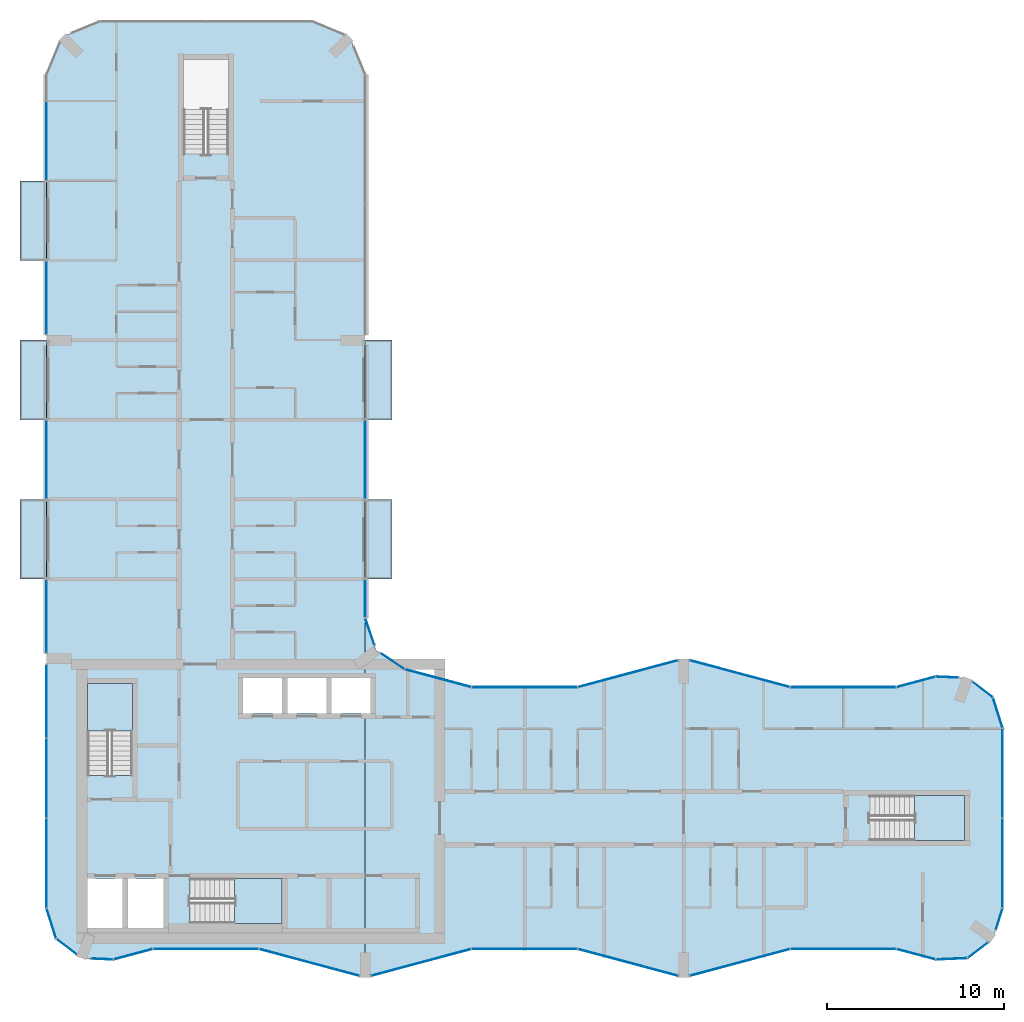
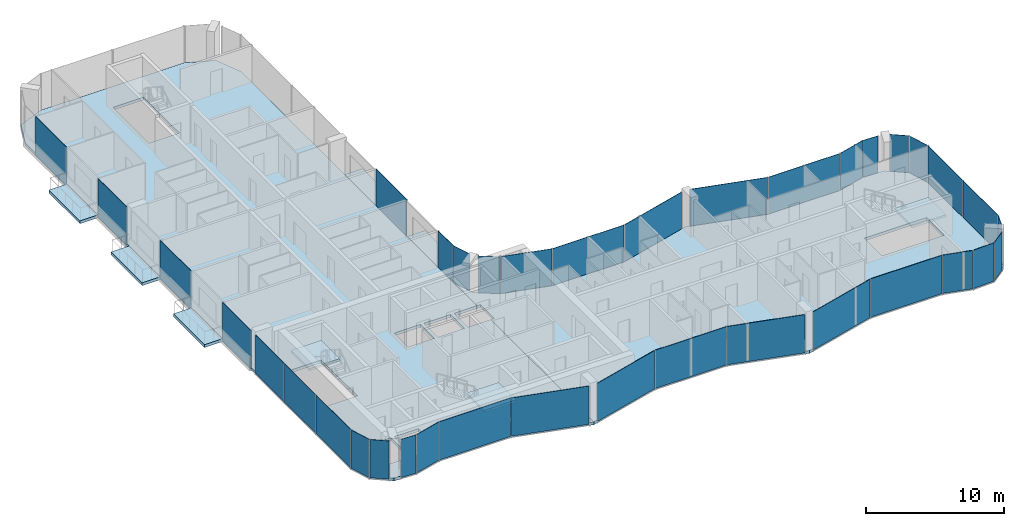
# One storey, part 8 of 16: 37 plates, 10 slabs, 37 elements without a shape of their own.
"""IFC4 building model written with IfcOpenShell, lengths in metres."""

from ifc_helpers import new_model, si_unit, direction, frame, origin, origin_2d, place, context, subcontext, project, spatial, polyline, rectangle, outline, extrude, material, layer, layer_set, type_object, element, aggregate, save


model = new_model("IFC4")

# Units and contexts
model_context = context("Model", 3, precision=1e-05, world=origin(), true_north=direction((0.0, 1.0)))
body_context = subcontext(model_context, "Body", "Model", "MODEL_VIEW")
ifc_project = project(units=[si_unit("LENGTHUNIT", "METRE"), si_unit("AREAUNIT", "SQUARE_METRE"), si_unit("VOLUMEUNIT", "CUBIC_METRE"), si_unit("PLANEANGLEUNIT", "RADIAN"), si_unit("MASSUNIT", "GRAM", prefix="KILO")], contexts=[model_context])

# Site, building, storey
site_placement = place(None, origin())
site = spatial("IfcSite", under=ifc_project, at=site_placement, CompositionType="ELEMENT")
building_placement = place(site_placement, origin())
building = spatial("IfcBuilding", under=site, at=building_placement, Name="Plateau Cross Towers", CompositionType="ELEMENT")
storey_placement = place(building_placement, frame((0.0, 0.0, 167.39990234375)))
storey = spatial("IfcBuildingStorey", under=building, at=storey_placement, Name="L43", CompositionType="ELEMENT", Elevation=167.39990234375)

# Slabs
ifc_material_1 = material(Name="Concrete C40/50", Category="concrete")
ifc_layer_1 = layer(ifc_material_1, 0.25)
ifc_layer_set_1 = layer_set([ifc_layer_1], Name="Concrete C40/50")
slab_type_1 = type_object("IfcSlabType", Name="Balcony slab 250", PredefinedType="FLOOR", material=ifc_layer_set_1)
slab_1_placement = place(storey_placement, frame((0.0, 0.0, -0.25)))
element("IfcSlab", 1, at=slab_1_placement, inside=storey, type_object=slab_type_1, Name="Balcony slab A-BAL-L43-01", PredefinedType="FLOOR", context=body_context, shape_type="SweptSolid", body=[
    extrude(outline(polyline([(0.0, 22.5), (0.0, 27.0), (-1.5, 27.0), (-1.5, 22.5), (0.0, 22.5)])), origin(), (0.0, 0.0, 1.0), 0.25),
])
slab_2_placement = place(storey_placement, frame((0.0, 0.0, -0.25)))
element("IfcSlab", 2, at=slab_2_placement, inside=storey, type_object=slab_type_1, Name="Balcony slab A-BAL-L43-02", PredefinedType="FLOOR", context=body_context, shape_type="SweptSolid", body=[
    extrude(outline(polyline([(0.0, 31.5), (0.0, 36.0), (-1.5, 36.0), (-1.5, 31.5), (0.0, 31.5)])), origin(), (0.0, 0.0, 1.0), 0.25),
])
slab_3_placement = place(storey_placement, frame((0.0, 0.0, -0.25)))
element("IfcSlab", 3, at=slab_3_placement, inside=storey, type_object=slab_type_1, Name="Balcony slab A-BAL-L43-03", PredefinedType="FLOOR", context=body_context, shape_type="SweptSolid", body=[
    extrude(outline(polyline([(0.0, 40.5), (0.0, 45.0), (-1.5, 45.0), (-1.5, 40.5), (0.0, 40.5)])), origin(), (0.0, 0.0, 1.0), 0.25),
])
slab_4_placement = place(storey_placement, frame((0.0, 0.0, -0.25)))
element("IfcSlab", 4, at=slab_4_placement, inside=storey, type_object=slab_type_1, Name="Balcony slab A-BAL-L43-04", PredefinedType="FLOOR", context=body_context, shape_type="SweptSolid", body=[
    extrude(outline(polyline([(19.5, 22.5), (19.5, 27.0), (18.0, 27.0), (18.0, 22.5), (19.5, 22.5)])), origin(), (0.0, 0.0, 1.0), 0.25),
])
slab_5_placement = place(storey_placement, frame((0.0, 0.0, -0.25)))
element("IfcSlab", 5, at=slab_5_placement, inside=storey, type_object=slab_type_1, Name="Balcony slab A-BAL-L43-05", PredefinedType="FLOOR", context=body_context, shape_type="SweptSolid", body=[
    extrude(outline(polyline([(19.5, 31.5), (19.5, 36.0), (18.0, 36.0), (18.0, 31.5), (19.5, 31.5)])), origin(), (0.0, 0.0, 1.0), 0.25),
])

# Curtain wall, plate
ifc_material_2 = material(Name="Dark low-iron glass", Category="glass")
ifc_layer_2 = layer(ifc_material_2, 0.239990234375)
ifc_layer_set_2 = layer_set([ifc_layer_2], Name="Dark low-iron glass")
curtain_wall_type_1 = type_object("IfcCurtainWallType", Name="Curtain wall flush unitised CW-B", PredefinedType="NOTDEFINED", material=ifc_layer_set_2)
curtain_wall_1_placement = place(storey_placement, origin())
curtain_wall_1 = element("IfcCurtainWall", 6, at=curtain_wall_1_placement, inside=storey, type_object=curtain_wall_type_1, Name="ENV/A/L43/A502_10", PredefinedType="NOTDEFINED")
ifc_layer_3 = layer(ifc_material_2, 0.031982421875)
ifc_layer_set_3 = layer_set([ifc_layer_3], Name="Dark low-iron glass")
plate_type_1 = type_object("IfcPlateType", Name="Glass panel 32 flush unitised", PredefinedType="CURTAIN_PANEL", material=ifc_layer_set_3)
plate_1_placement = place(storey_placement, frame((51.125, 1.05078125, -0.1298828125), z_axis=(0.0, 0.0, 1.0), x_axis=(0.999043701491, 0.043722791671, 0.0)))
plate_1 = element("IfcPlate", 7, at=plate_1_placement, type_object=plate_type_1, Name="CW-B panel 1", PredefinedType="CURTAIN_PANEL", context=body_context, shape_type="SweptSolid", body=[
    extrude(rectangle(XDim=1.744140625, YDim=0.031982421875, at=origin_2d()), origin(), (0.0, 0.0, 1.0), 3.3798828125),
])
aggregate(curtain_wall_1, [plate_1])

curtain_wall_2_placement = place(storey_placement, origin())
curtain_wall_2 = element("IfcCurtainWall", 8, at=curtain_wall_2_placement, inside=storey, type_object=curtain_wall_type_1, Name="ENV/A/L43/A520_11", PredefinedType="NOTDEFINED")
plate_2_placement = place(storey_placement, frame((52.60986328125, 1.5380859375, -0.1298828125), z_axis=(0.0, 0.0, 1.0), x_axis=(0.793315514529, 0.608810721331, 0.0)))
plate_2 = element("IfcPlate", 9, at=plate_2_placement, type_object=plate_type_1, Name="CW-B panel 1", PredefinedType="CURTAIN_PANEL", context=body_context, shape_type="SweptSolid", body=[
    extrude(rectangle(XDim=1.41162109375, YDim=0.031982421875, at=origin_2d()), origin(), (0.0, 0.0, 1.0), 3.3798828125),
])
aggregate(curtain_wall_2, [plate_2])

curtain_wall_3_placement = place(storey_placement, origin())
curtain_wall_3 = element("IfcCurtainWall", 10, at=curtain_wall_3_placement, inside=storey, type_object=curtain_wall_type_1, Name="ENV/A/L43/A536_27", PredefinedType="NOTDEFINED")
plate_3_placement = place(storey_placement, frame((53.805419921875, 3.292236328125, -0.1298828125), z_axis=(0.0, 0.0, 1.0), x_axis=(0.300686174994, 0.95372313811, 0.0)))
plate_3 = element("IfcPlate", 11, at=plate_3_placement, type_object=plate_type_1, Name="CW-B panel 1", PredefinedType="CURTAIN_PANEL", context=body_context, shape_type="SweptSolid", body=[
    extrude(rectangle(XDim=1.233642578125, YDim=0.031982421875, at=origin_2d()), origin(), (0.0, 0.0, 1.0), 3.3798828125),
])
aggregate(curtain_wall_3, [plate_3])

# Curtain wall, plates
curtain_wall_4_placement = place(storey_placement, origin())
curtain_wall_4 = element("IfcCurtainWall", 12, at=curtain_wall_4_placement, inside=storey, type_object=curtain_wall_type_1, Name="ENV/A/L43/A540_39", PredefinedType="NOTDEFINED")
plate_4_placement = place(storey_placement, frame((54.0, 6.45458984375, -0.1298828125), z_axis=(0.0, 0.0, 1.0), x_axis=(0.0, 1.0, 0.0)))
plate_4 = element("IfcPlate", 13, at=plate_4_placement, type_object=plate_type_1, Name="CW-B panel 1", PredefinedType="CURTAIN_PANEL", context=body_context, shape_type="SweptSolid", body=[
    extrude(rectangle(XDim=5.03076171875, YDim=0.031982421875, at=origin_2d()), origin(), (0.0, 0.0, 1.0), 3.3798828125),
])
plate_5_placement = place(storey_placement, frame((54.0, 11.54541015625, -0.1298828125), z_axis=(0.0, 0.0, 1.0), x_axis=(0.0, 1.0, 0.0)))
plate_5 = element("IfcPlate", 14, at=plate_5_placement, type_object=plate_type_1, Name="CW-B panel 2", PredefinedType="CURTAIN_PANEL", context=body_context, shape_type="SweptSolid", body=[
    extrude(rectangle(XDim=5.03076171875, YDim=0.031982421875, at=origin_2d()), origin(), (0.0, 0.0, 1.0), 3.3798828125),
])
aggregate(curtain_wall_4, [plate_4, plate_5])

# Curtain wall, plate
curtain_wall_5_placement = place(storey_placement, origin())
curtain_wall_5 = element("IfcCurtainWall", 15, at=curtain_wall_5_placement, inside=storey, type_object=curtain_wall_type_1, Name="ENV/A/L43/A540_141", PredefinedType="NOTDEFINED")
plate_6_placement = place(storey_placement, frame((53.728759765625, 14.951171875, -0.1298828125), z_axis=(0.0, 0.0, 1.0), x_axis=(-0.300686174994, 0.95372313811, 0.0)))
plate_6 = element("IfcPlate", 16, at=plate_6_placement, type_object=plate_type_1, Name="CW-B panel 1", PredefinedType="CURTAIN_PANEL", context=body_context, shape_type="SweptSolid", body=[
    extrude(rectangle(XDim=1.744140625, YDim=0.031982421875, at=origin_2d()), origin(), (0.0, 0.0, 1.0), 3.3798828125),
])
aggregate(curtain_wall_5, [plate_6])

curtain_wall_6_placement = place(storey_placement, origin())
curtain_wall_6 = element("IfcCurtainWall", 17, at=curtain_wall_6_placement, inside=storey, type_object=curtain_wall_type_1, Name="ENV/A/L43/A535_158", PredefinedType="NOTDEFINED")
plate_7_placement = place(storey_placement, frame((52.873779296875, 16.25927734375, -0.1298828125), z_axis=(0.0, 0.0, 1.0), x_axis=(-0.793315514529, 0.608810721331, 0.0)))
plate_7 = element("IfcPlate", 18, at=plate_7_placement, type_object=plate_type_1, Name="CW-B panel 1", PredefinedType="CURTAIN_PANEL", context=body_context, shape_type="SweptSolid", body=[
    extrude(rectangle(XDim=1.41162109375, YDim=0.031982421875, at=origin_2d()), origin(), (0.0, 0.0, 1.0), 3.3798828125),
])
aggregate(curtain_wall_6, [plate_7])

curtain_wall_7_placement = place(storey_placement, origin())
curtain_wall_7 = element("IfcCurtainWall", 19, at=curtain_wall_7_placement, inside=storey, type_object=curtain_wall_type_1, Name="ENV/A/L43/A515_169", PredefinedType="NOTDEFINED")
plate_8_placement = place(storey_placement, frame((50.8701171875, 16.96044921875, -0.1298828125), z_axis=(0.0, 0.0, 1.0), x_axis=(-0.999043701491, 0.043722791671, 0.0)))
plate_8 = element("IfcPlate", 20, at=plate_8_placement, type_object=plate_type_1, Name="CW-B panel 1", PredefinedType="CURTAIN_PANEL", context=body_context, shape_type="SweptSolid", body=[
    extrude(rectangle(XDim=1.233642578125, YDim=0.031982421875, at=origin_2d()), origin(), (0.0, 0.0, 1.0), 3.3798828125),
])
aggregate(curtain_wall_7, [plate_8])

curtain_wall_8_placement = place(storey_placement, origin())
curtain_wall_8 = element("IfcCurtainWall", 21, at=curtain_wall_8_placement, inside=storey, type_object=curtain_wall_type_1, Name="ENV/A/L43/A202_174", PredefinedType="NOTDEFINED")
plate_9_placement = place(storey_placement, frame((19.546630859375, 17.856689453125, -0.1298828125), z_axis=(0.0, 0.0, 1.0), x_axis=(-0.831521253329, 0.555492938984, 0.0)))
plate_9 = element("IfcPlate", 22, at=plate_9_placement, type_object=plate_type_1, Name="CW-B panel 1", PredefinedType="CURTAIN_PANEL", context=body_context, shape_type="SweptSolid", body=[
    extrude(rectangle(XDim=1.56884765625, YDim=0.031982421875, at=origin_2d()), origin(), (0.0, 0.0, 1.0), 3.3798828125),
])
aggregate(curtain_wall_8, [plate_9])

curtain_wall_9_placement = place(storey_placement, origin())
curtain_wall_9 = element("IfcCurtainWall", 23, at=curtain_wall_9_placement, inside=storey, type_object=curtain_wall_type_1, Name="ENV/A/L43/A185_188", PredefinedType="NOTDEFINED")
plate_10_placement = place(storey_placement, frame((18.26171875, 19.531005859375, -0.1298828125), z_axis=(0.0, 0.0, 1.0), x_axis=(-0.321469161574, 0.94692004845, 0.0)))
plate_10 = element("IfcPlate", 24, at=plate_10_placement, type_object=plate_type_1, Name="CW-B panel 1", PredefinedType="CURTAIN_PANEL", context=body_context, shape_type="SweptSolid", body=[
    extrude(rectangle(XDim=1.56884765625, YDim=0.031982421875, at=origin_2d()), origin(), (0.0, 0.0, 1.0), 3.3798828125),
])
aggregate(curtain_wall_9, [plate_10])

curtain_wall_10_placement = place(storey_placement, origin())
curtain_wall_10 = element("IfcCurtainWall", 25, at=curtain_wall_10_placement, inside=storey, type_object=curtain_wall_type_1, Name="ENV/A/L43/A180_203", PredefinedType="NOTDEFINED")
plate_11_placement = place(storey_placement, frame((18.0, 21.396240234375, -0.1298828125), z_axis=(0.0, 0.0, 1.0), x_axis=(0.0, 1.0, 0.0)))
plate_11 = element("IfcPlate", 26, at=plate_11_placement, type_object=plate_type_1, Name="CW-B panel 1", PredefinedType="CURTAIN_PANEL", context=body_context, shape_type="SweptSolid", body=[
    extrude(rectangle(XDim=2.127685546875, YDim=0.031982421875, at=origin_2d()), origin(), (0.0, 0.0, 1.0), 3.3798828125),
])
aggregate(curtain_wall_10, [plate_11])

curtain_wall_11_placement = place(storey_placement, origin())
curtain_wall_11 = element("IfcCurtainWall", 27, at=curtain_wall_11_placement, inside=storey, type_object=curtain_wall_type_1, Name="ENV/A/L43/A180_270", PredefinedType="NOTDEFINED")
plate_12_placement = place(storey_placement, frame((18.0, 29.25, -0.1298828125), z_axis=(0.0, 0.0, 1.0), x_axis=(0.0, 1.0, 0.0)))
plate_12 = element("IfcPlate", 28, at=plate_12_placement, type_object=plate_type_1, Name="CW-B panel 1", PredefinedType="CURTAIN_PANEL", context=body_context, shape_type="SweptSolid", body=[
    extrude(rectangle(XDim=4.419921875, YDim=0.031982421875, at=origin_2d()), origin(), (0.0, 0.0, 1.0), 3.3798828125),
])
aggregate(curtain_wall_11, [plate_12])

curtain_wall_12_placement = place(storey_placement, origin())
curtain_wall_12 = element("IfcCurtainWall", 29, at=curtain_wall_12_placement, inside=storey, type_object=curtain_wall_type_1, Name="ENV/A/L43/A0_510", PredefinedType="NOTDEFINED")
plate_13_placement = place(storey_placement, frame((0.0, 47.2548828125, -0.1298828125), z_axis=(0.0, 0.0, 1.0), x_axis=(0.0, -1.0, 0.0)))
plate_13 = element("IfcPlate", 30, at=plate_13_placement, type_object=plate_type_1, Name="CW-B panel 2", PredefinedType="CURTAIN_PANEL", context=body_context, shape_type="SweptSolid", body=[
    extrude(rectangle(XDim=4.429931640625, YDim=0.031982421875, at=origin_2d()), origin(), (0.0, 0.0, 1.0), 3.3798828125),
])
aggregate(curtain_wall_12, [plate_13])

curtain_wall_13_placement = place(storey_placement, origin())
curtain_wall_13 = element("IfcCurtainWall", 31, at=curtain_wall_13_placement, inside=storey, type_object=curtain_wall_type_1, Name="ENV/A/L43/A0_405", PredefinedType="NOTDEFINED")
plate_14_placement = place(storey_placement, frame((0.0, 38.39501953125, -0.1298828125), z_axis=(0.0, 0.0, 1.0), x_axis=(0.0, -1.0, 0.0)))
plate_14 = element("IfcPlate", 32, at=plate_14_placement, type_object=plate_type_1, Name="CW-B panel 1", PredefinedType="CURTAIN_PANEL", context=body_context, shape_type="SweptSolid", body=[
    extrude(rectangle(XDim=4.1298828125, YDim=0.031982421875, at=origin_2d()), origin(), (0.0, 0.0, 1.0), 3.3798828125),
])
aggregate(curtain_wall_13, [plate_14])

curtain_wall_14_placement = place(storey_placement, origin())
curtain_wall_14 = element("IfcCurtainWall", 33, at=curtain_wall_14_placement, inside=storey, type_object=curtain_wall_type_1, Name="ENV/A/L43/A0_315", PredefinedType="NOTDEFINED")
plate_15_placement = place(storey_placement, frame((0.0, 29.25, -0.1298828125), z_axis=(0.0, 0.0, 1.0), x_axis=(0.0, -1.0, 0.0)))
plate_15 = element("IfcPlate", 34, at=plate_15_placement, type_object=plate_type_1, Name="CW-B panel 1", PredefinedType="CURTAIN_PANEL", context=body_context, shape_type="SweptSolid", body=[
    extrude(rectangle(XDim=4.419921875, YDim=0.031982421875, at=origin_2d()), origin(), (0.0, 0.0, 1.0), 3.3798828125),
])
aggregate(curtain_wall_14, [plate_15])

curtain_wall_15_placement = place(storey_placement, origin())
curtain_wall_15 = element("IfcCurtainWall", 35, at=curtain_wall_15_placement, inside=storey, type_object=curtain_wall_type_1, Name="ENV/A/L43/A0_225", PredefinedType="NOTDEFINED")
plate_16_placement = place(storey_placement, frame((0.0, 20.39501953125, -0.1298828125), z_axis=(0.0, 0.0, 1.0), x_axis=(0.0, -1.0, 0.0)))
plate_16 = element("IfcPlate", 36, at=plate_16_placement, type_object=plate_type_1, Name="CW-B panel 1", PredefinedType="CURTAIN_PANEL", context=body_context, shape_type="SweptSolid", body=[
    extrude(rectangle(XDim=4.1298828125, YDim=0.031982421875, at=origin_2d()), origin(), (0.0, 0.0, 1.0), 3.3798828125),
])
aggregate(curtain_wall_15, [plate_16])

# Curtain wall, plates
curtain_wall_16_placement = place(storey_placement, origin())
curtain_wall_16 = element("IfcCurtainWall", 37, at=curtain_wall_16_placement, inside=storey, type_object=curtain_wall_type_1, Name="ENV/A/L43/A0_177", PredefinedType="NOTDEFINED")
plate_17_placement = place(storey_placement, frame((0.0, 15.60009765625, -0.1298828125), z_axis=(0.0, 0.0, 1.0), x_axis=(0.0, -1.0, 0.0)))
plate_17 = element("IfcPlate", 38, at=plate_17_placement, type_object=plate_type_1, Name="CW-B panel 1", PredefinedType="CURTAIN_PANEL", context=body_context, shape_type="SweptSolid", body=[
    extrude(rectangle(XDim=4.139892578125, YDim=0.031982421875, at=origin_2d()), origin(), (0.0, 0.0, 1.0), 3.3798828125),
])
plate_18_placement = place(storey_placement, frame((0.0, 11.25, -0.1298828125), z_axis=(0.0, 0.0, 1.0), x_axis=(0.0, -1.0, 0.0)))
plate_18 = element("IfcPlate", 39, at=plate_18_placement, type_object=plate_type_1, Name="CW-B panel 2", PredefinedType="CURTAIN_PANEL", context=body_context, shape_type="SweptSolid", body=[
    extrude(rectangle(XDim=4.43994140625, YDim=0.031982421875, at=origin_2d()), origin(), (0.0, 0.0, 1.0), 3.3798828125),
])
plate_19_placement = place(storey_placement, frame((0.0, 6.45458984375, -0.1298828125), z_axis=(0.0, 0.0, 1.0), x_axis=(0.0, -1.0, 0.0)))
plate_19 = element("IfcPlate", 40, at=plate_19_placement, type_object=plate_type_1, Name="CW-B panel 3", PredefinedType="CURTAIN_PANEL", context=body_context, shape_type="SweptSolid", body=[
    extrude(rectangle(XDim=5.03076171875, YDim=0.031982421875, at=origin_2d()), origin(), (0.0, 0.0, 1.0), 3.3798828125),
])
aggregate(curtain_wall_16, [plate_17, plate_18, plate_19])

# Curtain wall, plate
curtain_wall_17_placement = place(storey_placement, origin())
curtain_wall_17 = element("IfcCurtainWall", 41, at=curtain_wall_17_placement, inside=storey, type_object=curtain_wall_type_1, Name="ENV/A/L43/A0_39", PredefinedType="NOTDEFINED")
plate_20_placement = place(storey_placement, frame((0.271240234375, 3.048828125, -0.1298828125), z_axis=(0.0, 0.0, 1.0), x_axis=(0.300686174994, -0.95372313811, 0.0)))
plate_20 = element("IfcPlate", 42, at=plate_20_placement, type_object=plate_type_1, Name="CW-B panel 1", PredefinedType="CURTAIN_PANEL", context=body_context, shape_type="SweptSolid", body=[
    extrude(rectangle(XDim=1.744140625, YDim=0.031982421875, at=origin_2d()), origin(), (0.0, 0.0, 1.0), 3.3798828125),
])
aggregate(curtain_wall_17, [plate_20])

curtain_wall_18_placement = place(storey_placement, origin())
curtain_wall_18 = element("IfcCurtainWall", 43, at=curtain_wall_18_placement, inside=storey, type_object=curtain_wall_type_1, Name="ENV/A/L43/A5_22", PredefinedType="NOTDEFINED")
plate_21_placement = place(storey_placement, frame((1.126220703125, 1.74072265625, -0.1298828125), z_axis=(0.0, 0.0, 1.0), x_axis=(0.793315514529, -0.608810721331, 0.0)))
plate_21 = element("IfcPlate", 44, at=plate_21_placement, type_object=plate_type_1, Name="CW-B panel 1", PredefinedType="CURTAIN_PANEL", context=body_context, shape_type="SweptSolid", body=[
    extrude(rectangle(XDim=1.41162109375, YDim=0.031982421875, at=origin_2d()), origin(), (0.0, 0.0, 1.0), 3.3798828125),
])
aggregate(curtain_wall_18, [plate_21])

curtain_wall_19_placement = place(storey_placement, origin())
curtain_wall_19 = element("IfcCurtainWall", 45, at=curtain_wall_19_placement, inside=storey, type_object=curtain_wall_type_1, Name="ENV/A/L43/A25_11", PredefinedType="NOTDEFINED")
plate_22_placement = place(storey_placement, frame((3.1298828125, 1.03955078125, -0.1298828125), z_axis=(0.0, 0.0, 1.0), x_axis=(0.999043701491, -0.043722791671, 0.0)))
plate_22 = element("IfcPlate", 46, at=plate_22_placement, type_object=plate_type_1, Name="CW-B panel 1", PredefinedType="CURTAIN_PANEL", context=body_context, shape_type="SweptSolid", body=[
    extrude(rectangle(XDim=1.233642578125, YDim=0.031982421875, at=origin_2d()), origin(), (0.0, 0.0, 1.0), 3.3798828125),
])
aggregate(curtain_wall_19, [plate_22])

ifc_layer_4 = layer(ifc_material_2, 0.260009765625)
ifc_layer_set_4 = layer_set([ifc_layer_4], Name="Dark low-iron glass")
curtain_wall_type_2 = type_object("IfcCurtainWallType", Name="Curtain wall fluted unitised CW-A", PredefinedType="NOTDEFINED", material=ifc_layer_set_4)
curtain_wall_20_placement = place(storey_placement, origin())
curtain_wall_20 = element("IfcCurtainWall", 47, at=curtain_wall_20_placement, inside=storey, type_object=curtain_wall_type_2, Name="ENV/A/L43/A38_10", PredefinedType="NOTDEFINED")
ifc_layer_5 = layer(ifc_material_2, 0.035888671875)
ifc_layer_set_5 = layer_set([ifc_layer_5], Name="Dark low-iron glass")
plate_type_2 = type_object("IfcPlateType", Name="Glass panel 36 fluted unitised", PredefinedType="CURTAIN_PANEL", material=ifc_layer_set_5)
plate_23_placement = place(storey_placement, frame((4.887939453125, 1.30908203125, -0.1298828125), z_axis=(0.0, 0.0, 1.0), x_axis=(0.965957962328, 0.258699081978, 0.0)))
plate_23 = element("IfcPlate", 48, at=plate_23_placement, type_object=plate_type_2, Name="CW-A panel 1", PredefinedType="CURTAIN_PANEL", context=body_context, shape_type="SweptSolid", body=[
    extrude(rectangle(XDim=2.2421875, YDim=0.035888671875, at=origin_2d()), origin(), (0.0, 0.0, 1.0), 3.3798828125),
])
aggregate(curtain_wall_20, [plate_23])

curtain_wall_21_placement = place(storey_placement, origin())
curtain_wall_21 = element("IfcCurtainWall", 49, at=curtain_wall_21_placement, inside=storey, type_object=curtain_wall_type_2, Name="ENV/A/L43/A60_16", PredefinedType="NOTDEFINED")
plate_24_placement = place(storey_placement, frame((9.0, 1.60693359375, -0.1298828125), z_axis=(0.0, 0.0, 1.0), x_axis=(1.0, 0.0, 0.0)))
plate_24 = element("IfcPlate", 50, at=plate_24_placement, type_object=plate_type_2, Name="CW-A panel 1", PredefinedType="CURTAIN_PANEL", context=body_context, shape_type="SweptSolid", body=[
    extrude(rectangle(XDim=5.93994140625, YDim=0.035888671875, at=origin_2d()), origin(), (0.0, 0.0, 1.0), 3.3798828125),
])
aggregate(curtain_wall_21, [plate_24])

curtain_wall_22_placement = place(storey_placement, origin())
curtain_wall_22 = element("IfcCurtainWall", 51, at=curtain_wall_22_placement, inside=storey, type_object=curtain_wall_type_2, Name="ENV/A/L43/A120_16", PredefinedType="NOTDEFINED")
plate_25_placement = place(storey_placement, frame((14.841064453125, 0.845947265625, -0.1298828125), z_axis=(0.0, 0.0, 1.0), x_axis=(0.965957983404, -0.258699003279, 0.0)))
plate_25 = element("IfcPlate", 52, at=plate_25_placement, type_object=plate_type_2, Name="CW-A panel 1", PredefinedType="CURTAIN_PANEL", context=body_context, shape_type="SweptSolid", body=[
    extrude(rectangle(XDim=5.822265625, YDim=0.035888671875, at=origin_2d()), origin(), (0.0, 0.0, 1.0), 3.3798828125),
])
aggregate(curtain_wall_22, [plate_25])

curtain_wall_23_placement = place(storey_placement, origin())
curtain_wall_23 = element("IfcCurtainWall", 53, at=curtain_wall_23_placement, inside=storey, type_object=curtain_wall_type_2, Name="ENV/A/L43/A183_1", PredefinedType="NOTDEFINED")
plate_26_placement = place(storey_placement, frame((21.158935546875, 0.845947265625, -0.1298828125), z_axis=(0.0, 0.0, 1.0), x_axis=(0.965957983404, 0.258699003279, 0.0)))
plate_26 = element("IfcPlate", 54, at=plate_26_placement, type_object=plate_type_2, Name="CW-A panel 1", PredefinedType="CURTAIN_PANEL", context=body_context, shape_type="SweptSolid", body=[
    extrude(rectangle(XDim=5.822265625, YDim=0.035888671875, at=origin_2d()), origin(), (0.0, 0.0, 1.0), 3.3798828125),
])
aggregate(curtain_wall_23, [plate_26])

curtain_wall_24_placement = place(storey_placement, origin())
curtain_wall_24 = element("IfcCurtainWall", 55, at=curtain_wall_24_placement, inside=storey, type_object=curtain_wall_type_2, Name="ENV/A/L43/A240_16", PredefinedType="NOTDEFINED")
plate_27_placement = place(storey_placement, frame((27.0, 1.60693359375, -0.1298828125), z_axis=(0.0, 0.0, 1.0), x_axis=(1.0, 0.0, 0.0)))
plate_27 = element("IfcPlate", 56, at=plate_27_placement, type_object=plate_type_2, Name="CW-A panel 1", PredefinedType="CURTAIN_PANEL", context=body_context, shape_type="SweptSolid", body=[
    extrude(rectangle(XDim=5.93994140625, YDim=0.035888671875, at=origin_2d()), origin(), (0.0, 0.0, 1.0), 3.3798828125),
])
aggregate(curtain_wall_24, [plate_27])

curtain_wall_25_placement = place(storey_placement, origin())
curtain_wall_25 = element("IfcCurtainWall", 57, at=curtain_wall_25_placement, inside=storey, type_object=curtain_wall_type_2, Name="ENV/A/L43/A300_16", PredefinedType="NOTDEFINED")
plate_28_placement = place(storey_placement, frame((32.841064453125, 0.845947265625, -0.1298828125), z_axis=(0.0, 0.0, 1.0), x_axis=(0.965957983404, -0.258699003279, 0.0)))
plate_28 = element("IfcPlate", 58, at=plate_28_placement, type_object=plate_type_2, Name="CW-A panel 1", PredefinedType="CURTAIN_PANEL", context=body_context, shape_type="SweptSolid", body=[
    extrude(rectangle(XDim=5.822265625, YDim=0.035888671875, at=origin_2d()), origin(), (0.0, 0.0, 1.0), 3.3798828125),
])
aggregate(curtain_wall_25, [plate_28])

curtain_wall_26_placement = place(storey_placement, origin())
curtain_wall_26 = element("IfcCurtainWall", 59, at=curtain_wall_26_placement, inside=storey, type_object=curtain_wall_type_2, Name="ENV/A/L43/A363_1", PredefinedType="NOTDEFINED")
plate_29_placement = place(storey_placement, frame((39.158935546875, 0.845947265625, -0.1298828125), z_axis=(0.0, 0.0, 1.0), x_axis=(0.965957983404, 0.258699003279, 0.0)))
plate_29 = element("IfcPlate", 60, at=plate_29_placement, type_object=plate_type_2, Name="CW-A panel 1", PredefinedType="CURTAIN_PANEL", context=body_context, shape_type="SweptSolid", body=[
    extrude(rectangle(XDim=5.822265625, YDim=0.035888671875, at=origin_2d()), origin(), (0.0, 0.0, 1.0), 3.3798828125),
])
aggregate(curtain_wall_26, [plate_29])

curtain_wall_27_placement = place(storey_placement, origin())
curtain_wall_27 = element("IfcCurtainWall", 61, at=curtain_wall_27_placement, inside=storey, type_object=curtain_wall_type_2, Name="ENV/A/L43/A420_16", PredefinedType="NOTDEFINED")
plate_30_placement = place(storey_placement, frame((45.0, 1.60693359375, -0.1298828125), z_axis=(0.0, 0.0, 1.0), x_axis=(1.0, 0.0, 0.0)))
plate_30 = element("IfcPlate", 62, at=plate_30_placement, type_object=plate_type_2, Name="CW-A panel 1", PredefinedType="CURTAIN_PANEL", context=body_context, shape_type="SweptSolid", body=[
    extrude(rectangle(XDim=5.93994140625, YDim=0.035888671875, at=origin_2d()), origin(), (0.0, 0.0, 1.0), 3.3798828125),
])
aggregate(curtain_wall_27, [plate_30])

curtain_wall_28_placement = place(storey_placement, origin())
curtain_wall_28 = element("IfcCurtainWall", 63, at=curtain_wall_28_placement, inside=storey, type_object=curtain_wall_type_2, Name="ENV/A/L43/A480_16", PredefinedType="NOTDEFINED")
plate_31_placement = place(storey_placement, frame((49.112060546875, 1.30908203125, -0.1298828125), z_axis=(0.0, 0.0, 1.0), x_axis=(0.965957962328, -0.258699081978, 0.0)))
plate_31 = element("IfcPlate", 64, at=plate_31_placement, type_object=plate_type_2, Name="CW-A panel 1", PredefinedType="CURTAIN_PANEL", context=body_context, shape_type="SweptSolid", body=[
    extrude(rectangle(XDim=2.2421875, YDim=0.035888671875, at=origin_2d()), origin(), (0.0, 0.0, 1.0), 3.3798828125),
])
aggregate(curtain_wall_28, [plate_31])

curtain_wall_29_placement = place(storey_placement, origin())
curtain_wall_29 = element("IfcCurtainWall", 65, at=curtain_wall_29_placement, inside=storey, type_object=curtain_wall_type_2, Name="ENV/A/L43/A502_170", PredefinedType="NOTDEFINED")
plate_32_placement = place(storey_placement, frame((49.112060546875, 16.69091796875, -0.1298828125), z_axis=(0.0, 0.0, 1.0), x_axis=(-0.965957962328, -0.258699081978, 0.0)))
plate_32 = element("IfcPlate", 66, at=plate_32_placement, type_object=plate_type_2, Name="CW-A panel 1", PredefinedType="CURTAIN_PANEL", context=body_context, shape_type="SweptSolid", body=[
    extrude(rectangle(XDim=2.2421875, YDim=0.035888671875, at=origin_2d()), origin(), (0.0, 0.0, 1.0), 3.3798828125),
])
aggregate(curtain_wall_29, [plate_32])

curtain_wall_30_placement = place(storey_placement, origin())
curtain_wall_30 = element("IfcCurtainWall", 67, at=curtain_wall_30_placement, inside=storey, type_object=curtain_wall_type_2, Name="ENV/A/L43/A480_164", PredefinedType="NOTDEFINED")
plate_33_placement = place(storey_placement, frame((45.0, 16.39306640625, -0.1298828125), z_axis=(0.0, 0.0, 1.0), x_axis=(-1.0, 0.0, 0.0)))
plate_33 = element("IfcPlate", 68, at=plate_33_placement, type_object=plate_type_2, Name="CW-A panel 1", PredefinedType="CURTAIN_PANEL", context=body_context, shape_type="SweptSolid", body=[
    extrude(rectangle(XDim=5.93994140625, YDim=0.035888671875, at=origin_2d()), origin(), (0.0, 0.0, 1.0), 3.3798828125),
])
aggregate(curtain_wall_30, [plate_33])

curtain_wall_31_placement = place(storey_placement, origin())
curtain_wall_31 = element("IfcCurtainWall", 69, at=curtain_wall_31_placement, inside=storey, type_object=curtain_wall_type_2, Name="ENV/A/L43/A420_164", PredefinedType="NOTDEFINED")
plate_34_placement = place(storey_placement, frame((39.158935546875, 17.154052734375, -0.1298828125), z_axis=(0.0, 0.0, 1.0), x_axis=(-0.965957983404, 0.258699003279, 0.0)))
plate_34 = element("IfcPlate", 70, at=plate_34_placement, type_object=plate_type_2, Name="CW-A panel 1", PredefinedType="CURTAIN_PANEL", context=body_context, shape_type="SweptSolid", body=[
    extrude(rectangle(XDim=5.822265625, YDim=0.035888671875, at=origin_2d()), origin(), (0.0, 0.0, 1.0), 3.3798828125),
])
aggregate(curtain_wall_31, [plate_34])

curtain_wall_32_placement = place(storey_placement, origin())
curtain_wall_32 = element("IfcCurtainWall", 71, at=curtain_wall_32_placement, inside=storey, type_object=curtain_wall_type_2, Name="ENV/A/L43/A357_179", PredefinedType="NOTDEFINED")
plate_35_placement = place(storey_placement, frame((32.841064453125, 17.154052734375, -0.1298828125), z_axis=(0.0, 0.0, 1.0), x_axis=(-0.965957983404, -0.258699003279, 0.0)))
plate_35 = element("IfcPlate", 72, at=plate_35_placement, type_object=plate_type_2, Name="CW-A panel 1", PredefinedType="CURTAIN_PANEL", context=body_context, shape_type="SweptSolid", body=[
    extrude(rectangle(XDim=5.822265625, YDim=0.035888671875, at=origin_2d()), origin(), (0.0, 0.0, 1.0), 3.3798828125),
])
aggregate(curtain_wall_32, [plate_35])

curtain_wall_33_placement = place(storey_placement, origin())
curtain_wall_33 = element("IfcCurtainWall", 73, at=curtain_wall_33_placement, inside=storey, type_object=curtain_wall_type_2, Name="ENV/A/L43/A300_164", PredefinedType="NOTDEFINED")
plate_36_placement = place(storey_placement, frame((27.0, 16.39306640625, -0.1298828125), z_axis=(0.0, 0.0, 1.0), x_axis=(-1.0, 0.0, 0.0)))
plate_36 = element("IfcPlate", 74, at=plate_36_placement, type_object=plate_type_2, Name="CW-A panel 1", PredefinedType="CURTAIN_PANEL", context=body_context, shape_type="SweptSolid", body=[
    extrude(rectangle(XDim=5.93994140625, YDim=0.035888671875, at=origin_2d()), origin(), (0.0, 0.0, 1.0), 3.3798828125),
])
aggregate(curtain_wall_33, [plate_36])

curtain_wall_34_placement = place(storey_placement, origin())
curtain_wall_34 = element("IfcCurtainWall", 75, at=curtain_wall_34_placement, inside=storey, type_object=curtain_wall_type_2, Name="ENV/A/L43/A240_164", PredefinedType="NOTDEFINED")
plate_37_placement = place(storey_placement, frame((22.112060546875, 16.898681640625, -0.1298828125), z_axis=(0.0, 0.0, 1.0), x_axis=(-0.965957995816, 0.258698956933, 0.0)))
plate_37 = element("IfcPlate", 76, at=plate_37_placement, type_object=plate_type_2, Name="CW-A panel 1", PredefinedType="CURTAIN_PANEL", context=body_context, shape_type="SweptSolid", body=[
    extrude(rectangle(XDim=3.84912109375, YDim=0.035888671875, at=origin_2d()), origin(), (0.0, 0.0, 1.0), 3.3798828125),
])
aggregate(curtain_wall_34, [plate_37])

# Slabs
ifc_layer_6 = layer(ifc_material_1, 0.25)
ifc_layer_set_6 = layer_set([ifc_layer_6], Name="Concrete C40/50")
slab_type_2 = type_object("IfcSlabType", Name="Post-tensioned flat plate slab 250", PredefinedType="FLOOR", material=ifc_layer_set_6)
slab_6_placement = place(storey_placement, frame((0.0, 0.0, -0.25)))
element("IfcSlab", 77, at=slab_6_placement, inside=storey, type_object=slab_type_2, Name="SL-A-L43 1", PredefinedType="FLOOR", context=body_context, shape_type="SweptSolid", body=[
    extrude(outline(polyline([(0.54248046875, 2.1884765625), (0.0, 3.9091796875), (0.0, 51.0), (0.878662109375, 53.121337890625), (3.0, 54.0), (15.0, 54.0), (17.121337890625, 53.121337890625), (18.0, 51.0), (18.0, 20.30224609375), (18.0, 16.89990234375), (16.10009765625, 16.89990234375), (16.10009765625, 14.89990234375), (18.0, 14.89990234375), (18.0, 0.0), (12.0, 1.60693359375), (6.0, 1.60693359375), (3.776123046875, 1.01123046875), (1.9736328125, 1.090087890625), (0.54248046875, 2.1884765625)]), holes=[polyline([(2.300048828125, 5.60009765625), (2.300048828125, 2.800048828125), (4.300048828125, 2.800048828125), (4.300048828125, 5.60009765625), (2.300048828125, 5.60009765625)]), polyline([(4.60009765625, 5.60009765625), (4.60009765625, 2.800048828125), (6.60009765625, 2.800048828125), (6.60009765625, 5.60009765625), (4.60009765625, 5.60009765625)]), polyline([(8.10009765625, 5.60009765625), (8.10009765625, 3.050048828125), (13.300048828125, 3.050048828125), (13.300048828125, 5.60009765625), (8.10009765625, 5.60009765625)]), polyline([(2.300048828125, 11.39990234375), (4.85009765625, 11.39990234375), (4.85009765625, 16.60009765625), (2.300048828125, 16.60009765625), (2.300048828125, 11.39990234375)]), polyline([(11.10009765625, 16.89990234375), (11.10009765625, 14.89990234375), (13.300048828125, 14.89990234375), (13.300048828125, 16.89990234375), (11.10009765625, 16.89990234375)]), polyline([(13.60009765625, 16.89990234375), (13.60009765625, 14.89990234375), (15.800048828125, 14.89990234375), (15.800048828125, 16.89990234375), (13.60009765625, 16.89990234375)]), polyline([(7.72509765625, 51.699951171875), (7.72509765625, 46.5), (10.27490234375, 46.5), (10.27490234375, 51.699951171875), (7.72509765625, 51.699951171875)])]), origin(), (0.0, 0.0, 1.0), 0.25),
])
slab_7_placement = place(storey_placement, frame((0.0, 0.0, -0.25)))
element("IfcSlab", 78, at=slab_7_placement, inside=storey, type_object=slab_type_2, Name="SL-A-L43 2", PredefinedType="FLOOR", context=body_context, shape_type="SweptSolid", body=[
    extrude(outline(polyline([(18.6201171875, 18.475830078125), (20.223876953125, 17.404296875), (24.0, 16.39306640625), (30.0, 16.39306640625), (36.0, 18.0), (42.0, 16.39306640625), (48.0, 16.39306640625), (50.223876953125, 16.98876953125), (52.0263671875, 16.909912109375), (53.45751953125, 15.8115234375), (54.0, 14.0908203125), (54.0, 3.9091796875), (53.45751953125, 2.1884765625), (52.0263671875, 1.090087890625), (50.223876953125, 1.01123046875), (48.0, 1.60693359375), (42.0, 1.60693359375), (36.0, 0.0), (30.0, 1.60693359375), (24.0, 1.60693359375), (18.0, 0.0), (18.0, 14.89990234375), (18.300048828125, 14.89990234375), (18.300048828125, 16.89990234375), (18.0, 16.89990234375), (18.0, 20.30224609375), (18.6201171875, 18.475830078125)]), holes=[polyline([(46.5, 10.27490234375), (46.5, 7.72509765625), (51.699951171875, 7.72509765625), (51.699951171875, 10.27490234375), (46.5, 10.27490234375)])]), origin(), (0.0, 0.0, 1.0), 0.25),
])

# Stair, slab
stair_type = type_object("IfcStairType", Name="ST-TWR", PredefinedType="HALF_TURN_STAIR", material=ifc_material_1)
stair_1_placement = place(storey_placement, origin())
stair_1 = element("IfcStair", 79, at=stair_1_placement, inside=storey, type_object=stair_type, Name="L43 Protected Exit Stair ST-1", PredefinedType="HALF_TURN_STAIR")
ifc_layer_7 = layer(ifc_material_1, 0.199951171875)
ifc_layer_set_7 = layer_set([ifc_layer_7], Name="Concrete C40/50")
slab_type_3 = type_object("IfcSlabType", Name="SL-LANDING", PredefinedType="LANDING", material=ifc_layer_set_7)
slab_8_placement = place(storey_placement, frame((0.0, 0.0, 1.550048828125)))
slab_8 = element("IfcSlab", 80, at=slab_8_placement, type_object=slab_type_3, Name="ST-1 landing 1", PredefinedType="LANDING", context=body_context, shape_type="SweptSolid", body=[
    extrude(outline(polyline([(4.85009765625, 13.919921875), (4.85009765625, 16.60009765625), (2.300048828125, 16.60009765625), (2.300048828125, 13.919921875), (4.85009765625, 13.919921875)])), origin(), (0.0, 0.0, 1.0), 0.199951171875),
])
aggregate(stair_1, [slab_8])

stair_2_placement = place(storey_placement, origin())
stair_2 = element("IfcStair", 81, at=stair_2_placement, inside=storey, type_object=stair_type, Name="L43 Protected Exit Stair ST-2", PredefinedType="HALF_TURN_STAIR")
slab_9_placement = place(storey_placement, frame((0.0, 0.0, 1.550048828125)))
slab_9 = element("IfcSlab", 82, at=slab_9_placement, type_object=slab_type_3, Name="ST-2 landing 1", PredefinedType="LANDING", context=body_context, shape_type="SweptSolid", body=[
    extrude(outline(polyline([(10.6201171875, 3.050048828125), (13.300048828125, 3.050048828125), (13.300048828125, 5.60009765625), (10.6201171875, 5.60009765625), (10.6201171875, 3.050048828125)])), origin(), (0.0, 0.0, 1.0), 0.199951171875),
])
aggregate(stair_2, [slab_9])

stair_3_placement = place(storey_placement, origin())
stair_3 = element("IfcStair", 83, at=stair_3_placement, inside=storey, type_object=stair_type, Name="L43 Protected Exit Stair E", PredefinedType="HALF_TURN_STAIR")
slab_10_placement = place(storey_placement, frame((0.0, 0.0, 1.550048828125)))
slab_10 = element("IfcSlab", 84, at=slab_10_placement, type_object=slab_type_3, Name="ES-E landing 1", PredefinedType="LANDING", context=body_context, shape_type="SweptSolid", body=[
    extrude(outline(polyline([(49.02001953125, 7.72509765625), (51.85009765625, 7.72509765625), (51.85009765625, 10.27490234375), (49.02001953125, 10.27490234375), (49.02001953125, 7.72509765625)])), origin(), (0.0, 0.0, 1.0), 0.199951171875),
])
aggregate(stair_3, [slab_10])

save(model, "model.ifc")
